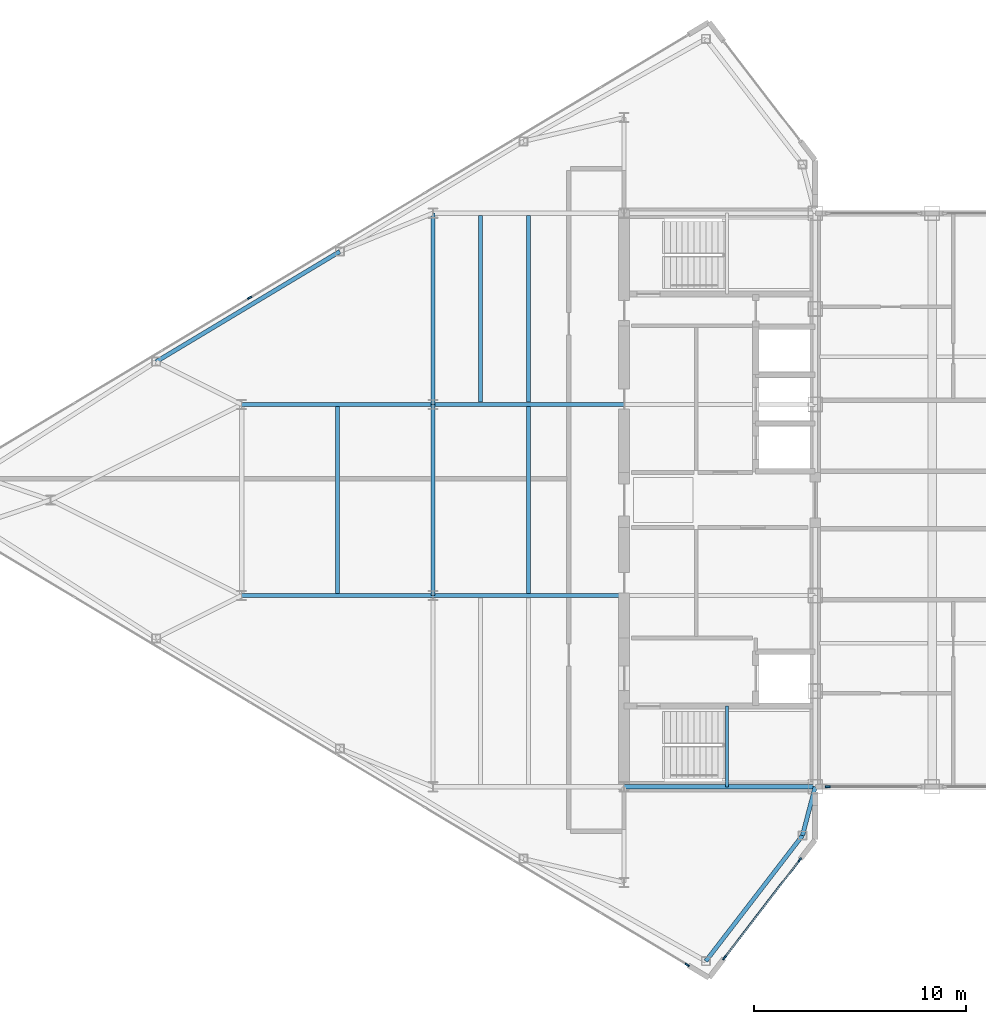
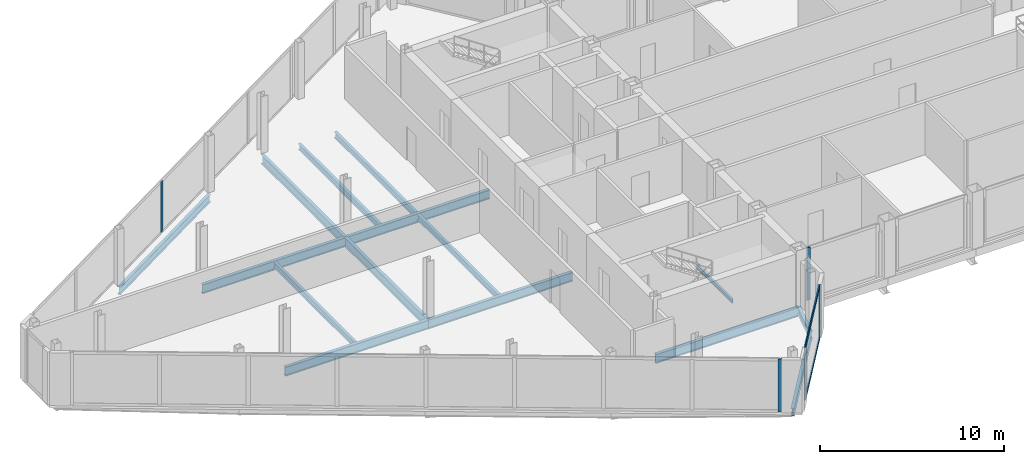
# One storey, part 9 of 28: 15 beams, 7 members, 4 elements without a shape of their own.
"""IFC4 building model written with IfcOpenShell, lengths in metres."""

from ifc_helpers import new_model, si_unit, direction, frame, origin, origin_2d, place, context, subcontext, project, spatial, rectangle, i_section, extrude, source, transform, mapped, material, layer, layer_set, material_profile, profile_set, type_object, type_shapes, element, aggregate, save


model = new_model("IFC4")

# Units and contexts
model_context = context("Model", 3, precision=1e-05, world=origin(), true_north=direction((0.0, 1.0)))
body_context = subcontext(model_context, "Body", "Model", "MODEL_VIEW")
ifc_project = project(units=[si_unit("LENGTHUNIT", "METRE"), si_unit("AREAUNIT", "SQUARE_METRE"), si_unit("VOLUMEUNIT", "CUBIC_METRE"), si_unit("PLANEANGLEUNIT", "RADIAN"), si_unit("MASSUNIT", "GRAM", prefix="KILO")], contexts=[model_context])

# Site, building, storey
site_placement = place(None, origin())
site = spatial("IfcSite", under=ifc_project, at=site_placement, CompositionType="ELEMENT")
building_placement = place(site_placement, origin())
building = spatial("IfcBuilding", under=site, at=building_placement, Name="Seokmaru Belvedere", CompositionType="ELEMENT")
storey_placement = place(building_placement, frame((0.0, 0.0, 265.64990234375)))
storey = spatial("IfcBuildingStorey", under=building, at=storey_placement, Name="L70", CompositionType="ELEMENT", Elevation=265.64990234375)

# Beams
ifc_material_1 = material(Name="Steel SM355 (355 MPa)", Category="steel")
ifc_material_profile_1 = material_profile(ifc_material_1, i_section(OverallWidth=0.199951171875, OverallDepth=0.60009765625, WebThickness=0.010986328125, FlangeThickness=0.01708984375, at=origin_2d()), Name="H-600x200x11x17")
ifc_profile_set_1 = profile_set([ifc_material_profile_1], Name="Steel SM355 (355 MPa)")
beam_type_1 = type_object("IfcBeamType", Name="Primary Floor Girder H-600", PredefinedType="BEAM", material=ifc_profile_set_1)
shared_shape_1 = source(origin(), body_context, "Body", "SweptSolid", [
    extrude(i_section(OverallWidth=0.199951171875, OverallDepth=0.60009765625, WebThickness=0.010986328125, FlangeThickness=0.01708984375, at=origin_2d()), origin(), (0.0, 0.0, 1.0), 9.0),
])
type_shapes(beam_type_1, [shared_shape_1])
for number, where, z_axis, x_axis, name in (
    (1, (-45.5, -4.5, -0.52001953125), (0.0, 1.0, 0.0), (-1.0, 0.0, 0.0), "L70 W Interior Grid Girder 2"),
    (2, (-45.5, 4.5, -0.52001953125), (0.0, 1.0, 0.0), (-1.0, 0.0, 0.0), "L70 W Interior Grid Girder 3"),
    (3, (-36.5, -13.5, -0.52001953125), (1.0, 0.0, 0.0), (0.0, 1.0, 0.0), "L70 W Core Tie Girder 1"),
    (4, (-45.5, -4.5, -0.52001953125), (1.0, 0.0, 0.0), (0.0, 1.0, 0.0), "L70 W Wing Primary Girder 2"),
    (5, (-45.5, 4.5, -0.52001953125), (1.0, 0.0, 0.0), (0.0, 1.0, 0.0), "L70 W Wing Primary Girder 3"),
    (6, (-54.5, -4.5, -0.52001953125), (1.0, 0.0, 0.0), (0.0, 1.0, 0.0), "L70 W Outer Wing Girder 1"),
    (7, (-54.5, 4.5, -0.52001953125), (1.0, 0.0, 0.0), (0.0, 1.0, 0.0), "L70 W Outer Wing Girder 2"),
):
    element("IfcBeam", number, at=place(storey_placement, frame(where, z_axis=z_axis, x_axis=x_axis)), inside=storey, type_object=beam_type_1, Name=name, PredefinedType="BEAM", context=body_context, shape_type="MappedRepresentation", body=[
        mapped(shared_shape_1, transform((0.0, 0.0, 0.0), scale=1.0)),
    ])
ifc_material_profile_2 = material_profile(ifc_material_1, i_section(OverallWidth=0.18505859375, OverallDepth=0.389892578125, WebThickness=0.008056640625, FlangeThickness=0.011962890625, at=origin_2d()), Name="H-390x185x8x12")
ifc_profile_set_2 = profile_set([ifc_material_profile_2], Name="Steel SM355 (355 MPa)")
beam_type_2 = type_object("IfcBeamType", Name="Secondary Floor Joist H-350", PredefinedType="JOIST", material=ifc_profile_set_2)
shared_shape_2 = source(origin(), body_context, "Body", "SweptSolid", [
    extrude(i_section(OverallWidth=0.18505859375, OverallDepth=0.389892578125, WebThickness=0.008056640625, FlangeThickness=0.011962890625, at=origin_2d()), origin(), (0.0, 0.0, 1.0), 8.7900390625),
])
type_shapes(beam_type_2, [shared_shape_2])
for number, where, z_axis, x_axis, name in (
    (8, (-43.25, 4.60498046875, -0.414794921875), (0.0, 1.0, 0.0), (-1.0, 0.0, 0.0), "L70 W Wing Inner Secondary Joist 2"),
    (9, (-41.0, -4.39501953125, -0.414794921875), (0.0, 1.0, 0.0), (-1.0, 0.0, 0.0), "L70 W Secondary Floor Joist 2"),
    (10, (-41.0, 4.60498046875, -0.414794921875), (0.0, 1.0, 0.0), (-1.0, 0.0, 0.0), "L70 W Secondary Floor Joist 3"),
    (11, (-50.0, -4.39501953125, -0.414794921875), (0.0, 1.0, 0.0), (-1.0, 0.0, 0.0), "L70 W Outer Bay Secondary Joist"),
):
    element("IfcBeam", number, at=place(storey_placement, frame(where, z_axis=z_axis, x_axis=x_axis)), inside=storey, type_object=beam_type_2, Name=name, PredefinedType="JOIST", context=body_context, shape_type="MappedRepresentation", body=[
        mapped(shared_shape_2, transform((0.0, 0.0, 0.0), scale=1.0)),
    ])
ifc_material_profile_3 = material_profile(ifc_material_1, i_section(OverallWidth=0.199951171875, OverallDepth=0.5, WebThickness=0.010009765625, FlangeThickness=0.01611328125, at=origin_2d()), Name="H-500x200x10x16")
ifc_profile_set_3 = profile_set([ifc_material_profile_3], Name="Steel SM355 (355 MPa)")
beam_type_3 = type_object("IfcBeamType", Name="Perimeter Spandrel Beam H-500", PredefinedType="SPANDREL", material=ifc_profile_set_3)
shared_shape_3 = source(origin(), body_context, "Body", "SweptSolid", [
    extrude(i_section(OverallWidth=0.199951171875, OverallDepth=0.5, WebThickness=0.010009765625, FlangeThickness=0.01611328125, at=origin_2d()), origin(), (0.0, 0.0, 1.0), 10.087646484375),
])
beam_1_placement = place(storey_placement, frame((-49.8798828125, 11.698974609375, -0.469970703125), z_axis=(-0.857488654804, -0.514502873542, 0.0), x_axis=(0.514502873542, -0.857488654804, 0.0)))
element("IfcBeam", 12, at=beam_1_placement, inside=storey, type_object=beam_type_3, Name="L70 W Faceted Flank Spandrel N-3", PredefinedType="SPANDREL", context=body_context, shape_type="MappedRepresentation", body=[
    mapped(shared_shape_3, transform((0.0, 0.0, 0.0), scale=1.0)),
])
shared_shape_4 = source(origin(), body_context, "Body", "SweptSolid", [
    extrude(i_section(OverallWidth=0.199951171875, OverallDepth=0.5, WebThickness=0.010009765625, FlangeThickness=0.01611328125, at=origin_2d()), origin(), (0.0, 0.0, 1.0), 7.4619140625),
])
beam_2_placement = place(storey_placement, frame((-32.649658203125, -21.71044921875, -0.469970703125), z_axis=(0.609702854945, 0.792630070507, 0.0), x_axis=(-0.792630070507, 0.609702854945, 0.0)))
element("IfcBeam", 13, at=beam_2_placement, inside=storey, type_object=beam_type_3, Name="L70 W Shoulder Chamfer Spandrel S", PredefinedType="SPANDREL", context=body_context, shape_type="MappedRepresentation", body=[
    mapped(shared_shape_4, transform((0.0, 0.0, 0.0), scale=1.0)),
])
shared_shape_5 = source(origin(), body_context, "Body", "SweptSolid", [
    extrude(i_section(OverallWidth=0.199951171875, OverallDepth=0.5, WebThickness=0.010009765625, FlangeThickness=0.01611328125, at=origin_2d()), origin(), (0.0, 0.0, 1.0), 2.373046875),
])
type_shapes(beam_type_3, [shared_shape_3, shared_shape_4, shared_shape_5])
beam_3_placement = place(storey_placement, frame((-28.10009765625, -15.7958984375, -0.469970703125), z_axis=(0.252882558842, 0.967496982648, 0.0), x_axis=(-0.967496982648, 0.252882558842, 0.0)))
element("IfcBeam", 14, at=beam_3_placement, inside=storey, type_object=beam_type_3, Name="L70 W Shoulder Spine Spandrel S", PredefinedType="SPANDREL", context=body_context, shape_type="MappedRepresentation", body=[
    mapped(shared_shape_5, transform((0.0, 0.0, 0.0), scale=1.0)),
])

# Curtain wall, members
ifc_material_2 = material(Name="Bronze Triple Insulating Glass", Category="glass")
ifc_layer = layer(ifc_material_2, 0.219970703125)
ifc_layer_set = layer_set([ifc_layer], Name="Bronze Triple Insulating Glass")
curtain_wall_type = type_object("IfcCurtainWallType", Name="Sky-Gate Bridge Panorama Curtain Wall System CW-6", PredefinedType="NOTDEFINED", material=ifc_layer_set)
curtain_wall_1_placement = place(storey_placement, origin())
curtain_wall_1 = element("IfcCurtainWall", 15, at=curtain_wall_1_placement, inside=storey, type_object=curtain_wall_type, Name="L70 Curtain Wall WF6", PredefinedType="NOTDEFINED")
ifc_material_3 = material(Name="Anodised Bronze Aluminium", Category="aluminium")
ifc_material_profile_4 = material_profile(ifc_material_3, rectangle(XDim=0.074951171875, YDim=0.179931640625, at=origin_2d()), Name="CW-T-75x180")
ifc_profile_set_4 = profile_set([ifc_material_profile_4], Name="Anodised Bronze Aluminium")
member_type_1 = type_object("IfcMemberType", Name="Bronze Unitised Transom 75x180", PredefinedType="USERDEFINED", material=ifc_profile_set_4)
shared_shape_6 = source(origin(), body_context, "Body", "SweptSolid", [
    extrude(rectangle(XDim=0.074951171875, YDim=0.179931640625, at=origin_2d()), origin(), (0.0, 0.0, 1.0), 5.74072265625),
])
type_shapes(member_type_1, [shared_shape_6])
member_1_placement = place(storey_placement, frame((-31.75, -21.525146484375, 0.03759765625), z_axis=(0.609686097287, 0.792642960465, 0.0), x_axis=(-0.792642960465, 0.609686097287, 0.0)))
member_1 = element("IfcMember", 16, at=member_1_placement, type_object=member_type_1, Name="CW:L70:WF6 Continuous Transom 1", ObjectType="TRANSOM", PredefinedType="USERDEFINED", context=body_context, shape_type="MappedRepresentation", body=[
    mapped(shared_shape_6, transform((0.0, 0.0, 0.0), scale=1.0)),
])
member_2_placement = place(storey_placement, frame((-31.75, -21.525146484375, 3.45263671875), z_axis=(0.609686097287, 0.792642960465, 0.0), x_axis=(-0.792642960465, 0.609686097287, 0.0)))
member_2 = element("IfcMember", 17, at=member_2_placement, type_object=member_type_1, Name="CW:L70:WF6 Continuous Transom 2", ObjectType="TRANSOM", PredefinedType="USERDEFINED", context=body_context, shape_type="MappedRepresentation", body=[
    mapped(shared_shape_6, transform((0.0, 0.0, 0.0), scale=1.0)),
])

# Curtain wall, member
curtain_wall_2_placement = place(storey_placement, origin())
curtain_wall_2 = element("IfcCurtainWall", 18, at=curtain_wall_2_placement, inside=storey, type_object=curtain_wall_type, Name="L70 Curtain Wall WF5", PredefinedType="NOTDEFINED")
ifc_material_profile_5 = material_profile(ifc_material_3, rectangle(XDim=0.080078125, YDim=0.219970703125, at=origin_2d()), Name="CW-M-80x220")
ifc_profile_set_5 = profile_set([ifc_material_profile_5], Name="Anodised Bronze Aluminium")
member_type_2 = type_object("IfcMemberType", Name="Bronze Unitised Mullion 80x220", PredefinedType="MULLION", material=ifc_profile_set_5)
shared_shape_7 = source(origin(), body_context, "Body", "SweptSolid", [
    extrude(rectangle(XDim=0.080078125, YDim=0.219970703125, at=origin_2d()), origin(), (0.0, 0.0, 1.0), 3.489990234375),
])
member_3_placement = place(storey_placement, frame((-33.5205078125, -21.8876953125, 0.0), z_axis=(0.0, 0.0, 1.0), x_axis=(0.514494909364, 0.85749343335, 0.0)))
member_3 = element("IfcMember", 19, at=member_3_placement, type_object=member_type_2, Name="CW:L70:WF5 Mullion 9", PredefinedType="MULLION", context=body_context, shape_type="MappedRepresentation", body=[
    mapped(shared_shape_7, transform((0.0, 0.0, 0.0), scale=1.0)),
])
aggregate(curtain_wall_2, [member_3])

# Member
member_4_placement = place(storey_placement, frame((-31.7744140625, -21.556884765625, 0.0), z_axis=(0.0, 0.0, 1.0), x_axis=(-0.792631353244, 0.609701187349, 0.0)))
member_4 = element("IfcMember", 20, at=member_4_placement, type_object=member_type_2, Name="CW:L70:WF6 Mullion 1", PredefinedType="MULLION", context=body_context, shape_type="MappedRepresentation", body=[
    mapped(shared_shape_7, transform((0.0, 0.0, 0.0), scale=1.0)),
])

member_5_placement = place(storey_placement, frame((-28.2255859375, -16.943115234375, 0.0), z_axis=(0.0, 0.0, 1.0), x_axis=(-0.792631353244, 0.609701187349, 0.0)))
member_5 = element("IfcMember", 21, at=member_5_placement, type_object=member_type_2, Name="CW:L70:WF6 Mullion 2", PredefinedType="MULLION", context=body_context, shape_type="MappedRepresentation", body=[
    mapped(shared_shape_7, transform((0.0, 0.0, 0.0), scale=1.0)),
])

aggregate(curtain_wall_1, [member_4, member_5, member_1, member_2])

# Curtain wall, member
curtain_wall_3_placement = place(storey_placement, origin())
curtain_wall_3 = element("IfcCurtainWall", 22, at=curtain_wall_3_placement, inside=storey, type_object=curtain_wall_type, Name="L70 Curtain Wall BR_S01", PredefinedType="NOTDEFINED")
member_6_placement = place(storey_placement, frame((-26.909912109375, -13.5, 0.0), z_axis=(0.0, 0.0, 1.0), x_axis=(0.0, 1.0, 0.0)))
member_6 = element("IfcMember", 23, at=member_6_placement, type_object=member_type_2, Name="CW:L70:BR_S01 Mullion 1", PredefinedType="MULLION", context=body_context, shape_type="MappedRepresentation", body=[
    mapped(shared_shape_7, transform((0.0, 0.0, 0.0), scale=1.0)),
])
aggregate(curtain_wall_3, [member_6])

curtain_wall_4_placement = place(storey_placement, origin())
curtain_wall_4 = element("IfcCurtainWall", 24, at=curtain_wall_4_placement, inside=storey, type_object=curtain_wall_type, Name="L70 Curtain Wall WF3", PredefinedType="NOTDEFINED")
shared_shape_8 = source(origin(), body_context, "Body", "SweptSolid", [
    extrude(rectangle(XDim=0.080078125, YDim=0.219970703125, at=origin_2d()), origin(), (0.0, 0.0, 1.0), 3.33984375),
])
type_shapes(member_type_2, [shared_shape_7, shared_shape_8])
member_7_placement = place(storey_placement, frame((-54.12841796875, 9.52294921875, 0.0751953125), z_axis=(0.0, 0.0, 1.0), x_axis=(0.514494909364, -0.85749343335, 0.0)))
member_7 = element("IfcMember", 25, at=member_7_placement, type_object=member_type_2, Name="CW:L70:WF3 Mullion 6", PredefinedType="MULLION", context=body_context, shape_type="MappedRepresentation", body=[
    mapped(shared_shape_8, transform((0.0, 0.0, 0.0), scale=1.0)),
])
aggregate(curtain_wall_4, [member_7])

# Beam
ifc_material_profile_6 = material_profile(ifc_material_1, i_section(OverallWidth=0.125, OverallDepth=0.25, WebThickness=0.006103515625, FlangeThickness=0.009033203125, at=origin_2d()), Name="H-250x125x6x9")
ifc_profile_set_6 = profile_set([ifc_material_profile_6], Name="Steel SM355 (355 MPa)")
beam_type_4 = type_object("IfcBeamType", Name="Stair Mid-Landing Support Beam H-250", PredefinedType="JOIST", material=ifc_profile_set_6)
shared_shape_9 = source(origin(), body_context, "Body", "SweptSolid", [
    extrude(i_section(OverallWidth=0.125, OverallDepth=0.25, WebThickness=0.006103515625, FlangeThickness=0.009033203125, at=origin_2d()), origin(), (0.0, 0.0, 1.0), 3.800048828125),
])
type_shapes(beam_type_4, [shared_shape_9])
beam_4_placement = place(storey_placement, frame((-31.64990234375, -13.5, 1.550048828125), z_axis=(0.0, 1.0, 0.0), x_axis=(-1.0, 0.0, 0.0)))
element("IfcBeam", 26, at=beam_4_placement, inside=storey, type_object=beam_type_4, Name="L70 Stair ST-W1 Mid-Landing Support Beam 1", PredefinedType="JOIST", context=body_context, shape_type="MappedRepresentation", body=[
    mapped(shared_shape_9, transform((0.0, 0.0, 0.0), scale=1.0)),
])

save(model, "model.ifc")
